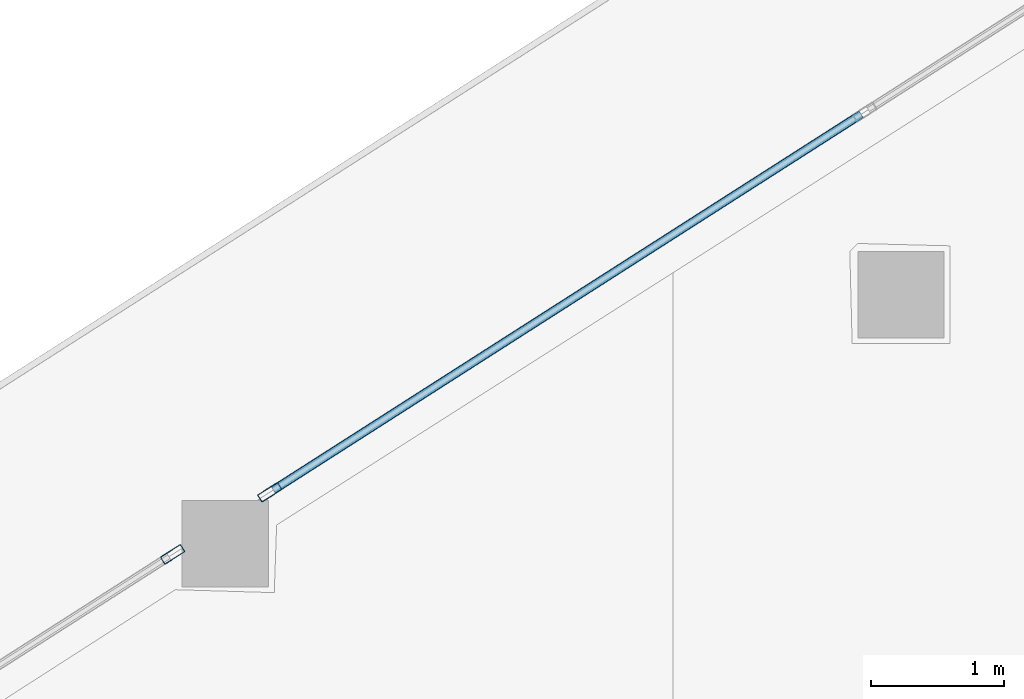
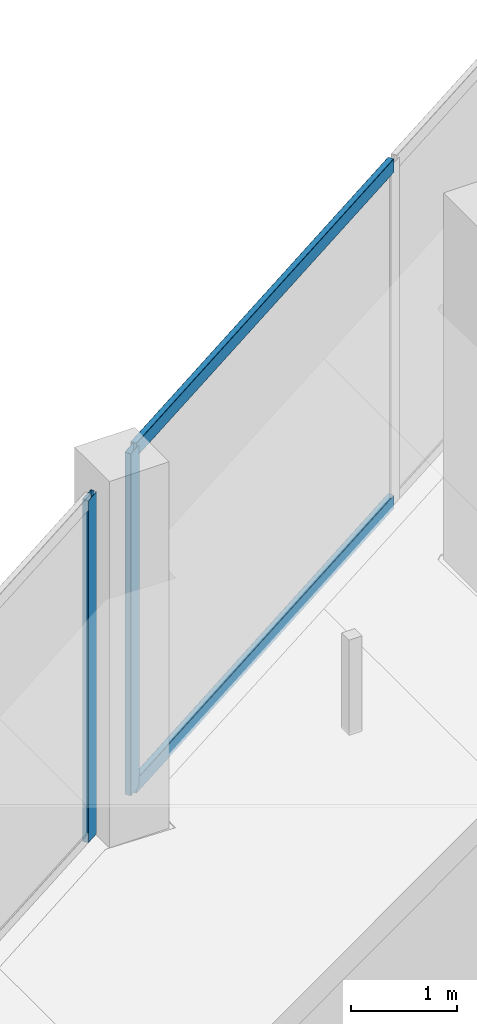
# One storey, part 15 of 44: 4 members, 2 elements without a shape of their own.
"""IFC4 building model written with IfcOpenShell, lengths in metres."""

from ifc_helpers import new_model, si_unit, direction, frame, origin, origin_2d, place, context, subcontext, project, spatial, hollow_rectangle, extrude, material, layer, layer_set, material_profile, profile_set, type_object, element, aggregate, save


model = new_model("IFC4")

# Units and contexts
model_context = context("Model", 3, precision=1e-05, world=origin(), true_north=direction((0.0, 1.0)))
body_context = subcontext(model_context, "Body", "Model", "MODEL_VIEW")
ifc_project = project(units=[si_unit("LENGTHUNIT", "METRE"), si_unit("AREAUNIT", "SQUARE_METRE"), si_unit("VOLUMEUNIT", "CUBIC_METRE"), si_unit("PLANEANGLEUNIT", "RADIAN"), si_unit("MASSUNIT", "GRAM", prefix="KILO")], contexts=[model_context])

# Site, building, storey
site_placement = place(None, origin())
site = spatial("IfcSite", under=ifc_project, at=site_placement, CompositionType="ELEMENT")
building_placement = place(site_placement, origin())
building = spatial("IfcBuilding", under=site, at=building_placement, Name="Qorvath Tower", CompositionType="ELEMENT")
storey_placement = place(building_placement, frame((0.0, 0.0, 53.39990234375)))
storey = spatial("IfcBuildingStorey", under=building, at=storey_placement, Name="L11", CompositionType="ELEMENT", Elevation=53.39990234375)

# Curtain wall, member
ifc_material_1 = material(Name="Anodised aluminium and triple low-E glass", Category="aluminium")
ifc_layer = layer(ifc_material_1, 0.179931640625)
ifc_layer_set = layer_set([ifc_layer], Name="CW-SYS-2")
curtain_wall_type = type_object("IfcCurtainWallType", Name="CW-SYS-2", PredefinedType="NOTDEFINED", material=ifc_layer_set)
curtain_wall_1_placement = place(storey_placement, origin())
curtain_wall_1 = element("IfcCurtainWall", 1, at=curtain_wall_1_placement, inside=storey, type_object=curtain_wall_type, Name="Curtain Wall CW-2 CW-T-L11-16.2", PredefinedType="NOTDEFINED")
ifc_material_2 = material(Name="Anodised aluminium 6063-T6", Category="aluminium")
ifc_material_profile_1 = material_profile(ifc_material_2, hollow_rectangle(XDim=0.06494140625, YDim=0.179931640625, WallThickness=0.00341796875, InnerFilletRadius=0.00341796875, OuterFilletRadius=0.007080078125, at=origin_2d()), Name="CWM 180x65")
ifc_profile_set_1 = profile_set([ifc_material_profile_1], Name="Anodised aluminium 6063-T6")
member_type_1 = type_object("IfcMemberType", Name="CWM-180", PredefinedType="MULLION", material=ifc_profile_set_1)
member_1_placement = place(storey_placement, frame((-39.999267578125, 17.34326171875, 0.0), z_axis=(0.0, 0.0, 1.0), x_axis=(0.538541095387, -0.842599245537, 0.0)))
member_1 = element("IfcMember", 2, at=member_1_placement, type_object=member_type_1, Name="CW-2 mullion 5", PredefinedType="MULLION", context=body_context, shape_type="SweptSolid", body=[
    extrude(hollow_rectangle(XDim=0.06494140625, YDim=0.179931640625, WallThickness=0.00341796875, InnerFilletRadius=0.00341796875, OuterFilletRadius=0.007080078125, at=origin_2d()), origin(), (0.0, 0.0, 1.0), 3.920166015625),
])

curtain_wall_2_placement = place(storey_placement, origin())
curtain_wall_2 = element("IfcCurtainWall", 3, at=curtain_wall_2_placement, inside=storey, type_object=curtain_wall_type, Name="Curtain Wall CW-2 CW-T-L11-16.3", PredefinedType="NOTDEFINED")
member_2_placement = place(storey_placement, frame((-40.729736328125, 16.876220703125, 0.0), z_axis=(0.0, 0.0, 1.0), x_axis=(0.538531853978, -0.842605152044, 0.0)))
member_2 = element("IfcMember", 4, at=member_2_placement, type_object=member_type_1, Name="CW-2 mullion 1", PredefinedType="MULLION", context=body_context, shape_type="SweptSolid", body=[
    extrude(hollow_rectangle(XDim=0.06494140625, YDim=0.179931640625, WallThickness=0.00341796875, InnerFilletRadius=0.00341796875, OuterFilletRadius=0.007080078125, at=origin_2d()), origin(), (0.0, 0.0, 1.0), 3.920166015625),
])
aggregate(curtain_wall_2, [member_2])

# Member
ifc_material_3 = material(Name="Anodised aluminium 6063-T6", Category="aluminium")
ifc_material_profile_2 = material_profile(ifc_material_3, hollow_rectangle(XDim=0.06494140625, YDim=0.159912109375, WallThickness=0.00341796875, InnerFilletRadius=0.00341796875, OuterFilletRadius=0.007080078125, at=origin_2d()), Name="CWT 160x65")
ifc_profile_set_2 = profile_set([ifc_material_profile_2], Name="Anodised aluminium 6063-T6")
member_type_2 = type_object("IfcMemberType", Name="CWT-160", PredefinedType="USERDEFINED", material=ifc_profile_set_2)
member_3_placement = place(storey_placement, frame((-35.5517578125, 20.185791015625, 0.032470703125), z_axis=(-0.842592429827, -0.53855175907, 0.0), x_axis=(0.53855175907, -0.842592429827, 0.0)))
member_3 = element("IfcMember", 5, at=member_3_placement, type_object=member_type_2, Name="CW-2 transom 4.1", ObjectType="TRANSOM", PredefinedType="USERDEFINED", context=body_context, shape_type="SweptSolid", body=[
    extrude(hollow_rectangle(XDim=0.06494140625, YDim=0.159912109375, WallThickness=0.00341796875, InnerFilletRadius=0.00341796875, OuterFilletRadius=0.007080078125, at=origin_2d()), origin(), (0.0, 0.0, 1.0), 5.245849609375),
])

member_4_placement = place(storey_placement, frame((-35.5517578125, 20.185791015625, 3.8876953125), z_axis=(-0.842592429827, -0.53855175907, 0.0), x_axis=(0.53855175907, -0.842592429827, 0.0)))
member_4 = element("IfcMember", 6, at=member_4_placement, type_object=member_type_2, Name="CW-2 transom 4.2", ObjectType="TRANSOM", PredefinedType="USERDEFINED", context=body_context, shape_type="SweptSolid", body=[
    extrude(hollow_rectangle(XDim=0.06494140625, YDim=0.159912109375, WallThickness=0.00341796875, InnerFilletRadius=0.00341796875, OuterFilletRadius=0.007080078125, at=origin_2d()), origin(), (0.0, 0.0, 1.0), 5.245849609375),
])

aggregate(curtain_wall_1, [member_1, member_3, member_4])

save(model, "model.ifc")
